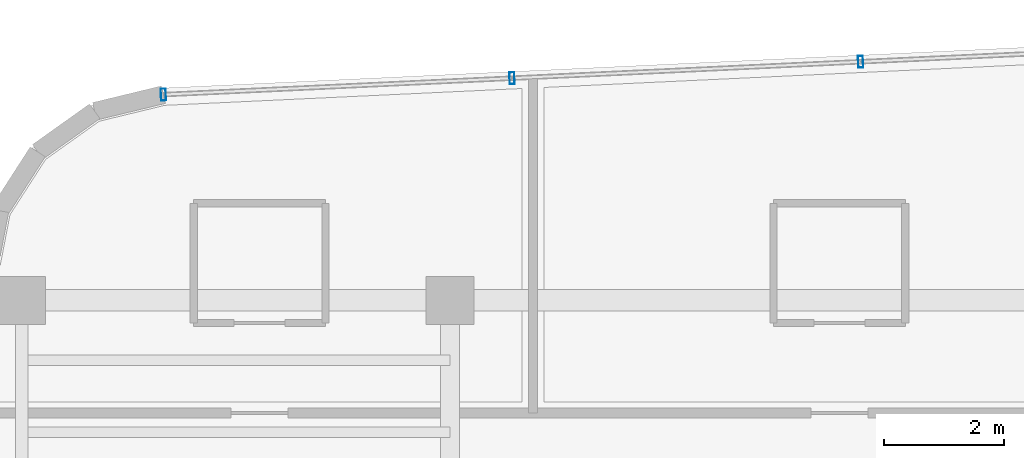
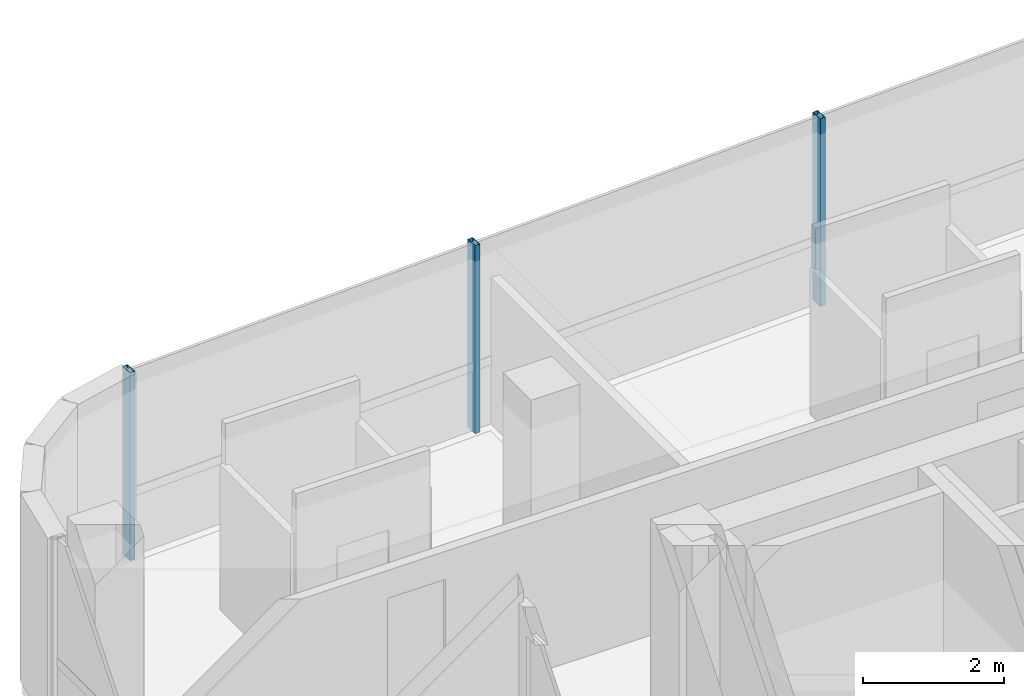
# One storey, part 10 of 20: 3 members, 1 element without a shape of its own.
"""IFC4 building model written with IfcOpenShell, lengths in metres."""

from ifc_helpers import new_model, si_unit, direction, frame, origin, origin_2d, place, context, subcontext, project, spatial, hollow_rectangle, extrude, source, transform, mapped, material, material_profile, profile_set, type_object, element, aggregate, save


model = new_model("IFC4")

# Units and contexts
model_context = context("Model", 3, precision=1e-05, world=origin(), true_north=direction((0.0, 1.0)))
body_context = subcontext(model_context, "Body", "Model", "MODEL_VIEW")
ifc_project = project(units=[si_unit("LENGTHUNIT", "METRE"), si_unit("AREAUNIT", "SQUARE_METRE"), si_unit("VOLUMEUNIT", "CUBIC_METRE"), si_unit("PLANEANGLEUNIT", "RADIAN"), si_unit("MASSUNIT", "GRAM", prefix="KILO")], contexts=[model_context])

# Site, building, storey
site_placement = place(None, origin())
site = spatial("IfcSite", under=ifc_project, at=site_placement, CompositionType="ELEMENT")
building_placement = place(site_placement, origin())
building = spatial("IfcBuilding", under=site, at=building_placement, Name="Valdorenza Pilgrim Sanctuary Tower", CompositionType="ELEMENT")
storey_placement = place(building_placement, frame((0.0, 0.0, 240.5)))
storey = spatial("IfcBuildingStorey", under=building, at=storey_placement, Name="L62", CompositionType="ELEMENT", Elevation=240.5)

# Curtain wall, members
ifc_material_1 = material(Name="Curtain-wall IGU glazing", Category="glass")
curtain_wall_type = type_object("IfcCurtainWallType", Name="CW-SYS-02", PredefinedType="NOTDEFINED", material=ifc_material_1)
curtain_wall_placement = place(storey_placement, origin())
curtain_wall = element("IfcCurtainWall", 1, at=curtain_wall_placement, inside=storey, type_object=curtain_wall_type, Name="L62 Curtain Wall CW-L62-1-6", PredefinedType="NOTDEFINED")
ifc_material_2 = material(Name="Anodised aluminium AW-6060", Category="aluminium")
ifc_material_profile = material_profile(ifc_material_2, hollow_rectangle(XDim=0.0849609375, YDim=0.199951171875, WallThickness=0.0048828125, at=origin_2d()), Name="ALU-M 200x85x5")
ifc_profile_set = profile_set([ifc_material_profile], Name="Anodised aluminium AW-6060")
member_type = type_object("IfcMemberType", Name="CW-MUL-02", PredefinedType="MULLION", material=ifc_profile_set)
shared_shape = source(origin(), body_context, "Body", "SweptSolid", [
    extrude(hollow_rectangle(XDim=0.0849609375, YDim=0.199951171875, WallThickness=0.0048828125, at=origin_2d()), origin(), (0.0, 0.0, 1.0), 3.260009765625),
])
member_1_placement = place(storey_placement, frame((-27.43505859375, 18.234375, 0.0), z_axis=(0.0, 0.0, 1.0), x_axis=(0.998890696972, 0.047089016785, 0.0)))
member_1 = element("IfcMember", 2, at=member_1_placement, type_object=member_type, Name="CW-L62-1-6 Mullion 1", PredefinedType="MULLION", context=body_context, shape_type="MappedRepresentation", body=[
    mapped(shared_shape, transform((0.0, 0.0, 0.0), x_axis=(1.0, 0.0, 0.0), y_axis=(0.0, 1.0, 0.0), z_axis=(0.0, 0.0, 1.0), scale=1.0)),
])
member_2_placement = place(storey_placement, frame((-21.615478515625, 18.5087890625, 0.0), z_axis=(0.0, 0.0, 1.0), x_axis=(0.998890696972, 0.047089016785, 0.0)))
member_2 = element("IfcMember", 3, at=member_2_placement, type_object=member_type, Name="CW-L62-1-6 Mullion 2", PredefinedType="MULLION", context=body_context, shape_type="MappedRepresentation", body=[
    mapped(shared_shape, transform((0.0, 0.0, 0.0), x_axis=(1.0, 0.0, 0.0), y_axis=(0.0, 1.0, 0.0), z_axis=(0.0, 0.0, 1.0), scale=1.0)),
])
member_3_placement = place(storey_placement, frame((-15.7958984375, 18.782958984375, 0.0), z_axis=(0.0, 0.0, 1.0), x_axis=(0.998890696972, 0.047089016785, 0.0)))
member_3 = element("IfcMember", 4, at=member_3_placement, type_object=member_type, Name="CW-L62-1-6 Mullion 3", PredefinedType="MULLION", context=body_context, shape_type="MappedRepresentation", body=[
    mapped(shared_shape, transform((0.0, 0.0, 0.0), x_axis=(1.0, 0.0, 0.0), y_axis=(0.0, 1.0, 0.0), z_axis=(0.0, 0.0, 1.0), scale=1.0)),
])
aggregate(curtain_wall, [member_1, member_2, member_3])

save(model, "model.ifc")
